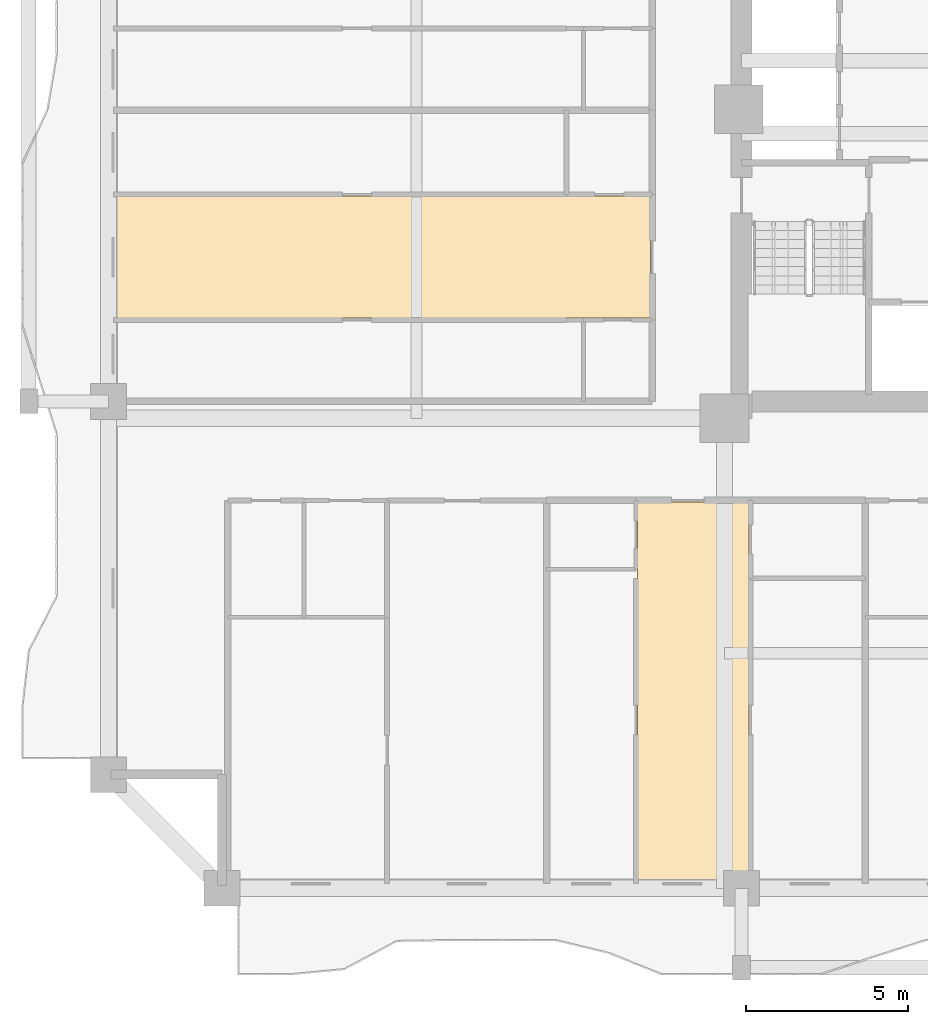
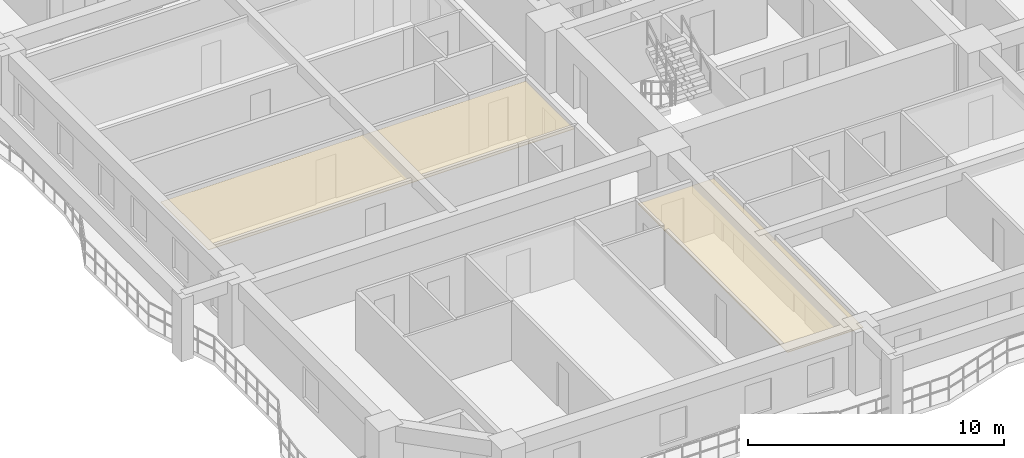
# One storey, part 11 of 15: 2 coverings.
"""IFC4 building model written with IfcOpenShell, lengths in metres."""

import ifcopenshell
import ifcopenshell.guid

model = None  # the IFC model being written
_history = None  # IfcOwnerHistory: only IFC2X3 demands one
_inside = {}  # id of a spatial element -> (the spatial element, [elements in it])
_under = {}  # id of a project, library or spatial element -> (it, [spatial elements below it])
_declared = {}  # id of a project -> (the project, [libraries it declares])
_typed = {}  # id of a type object -> (the type object, [elements of that type])
_made_of = {}  # id of a material, layer set ... -> (it, [elements and type objects made of it])


def new_model(schema):
    """Start an empty IFC model of exactly this schema.

    Asked for "IFC4X3", IfcOpenShell would pick the latest addendum, in which some entities
    have other attributes; the version numbers below select the first issue.
    IFC2X3 requires an IfcOwnerHistory on every rooted entity: one is made here for all.
    """
    global model, _history
    if schema == "IFC4X3":
        model = ifcopenshell.file(schema_version=(4, 3, 0, 0))
    else:
        model = ifcopenshell.file(schema=schema)
    _inside.clear()
    _under.clear()
    _declared.clear()
    _typed.clear()
    _made_of.clear()
    _history = None
    if model.schema == "IFC2X3":
        org = make("IfcOrganization", Name="unknown")
        user = make(
            "IfcPersonAndOrganization",
            ThePerson=make("IfcPerson", FamilyName="unknown"),
            TheOrganization=org,
        )
        app = make(
            "IfcApplication",
            ApplicationDeveloper=org,
            Version="unknown",
            ApplicationFullName="unknown",
            ApplicationIdentifier="unknown",
        )
        _history = make(
            "IfcOwnerHistory",
            OwningUser=user,
            OwningApplication=app,
            ChangeAction="ADDED",
            CreationDate=0,
        )
    return model


def make(cls, **values):
    """One entity of the class cls with the attributes given. An attribute that is None is left unset."""
    return model.create_entity(
        cls, **{name: value for name, value in values.items() if value is not None}
    )


def rooted(cls, **values):
    """An entity with a GlobalId (a new one), such as an element, a storey or a relation."""
    return make(cls, GlobalId=ifcopenshell.guid.new(), OwnerHistory=_history, **values)


def si_unit(unit_type, name, prefix=None):
    """IfcSIUnit, for example si_unit("LENGTHUNIT", "METRE", prefix="MILLI")."""
    return make("IfcSIUnit", UnitType=unit_type, Prefix=prefix, Name=name)


def assignment(units):
    """IfcUnitAssignment: the units of a project."""
    return None if units is None else make("IfcUnitAssignment", Units=units)


def point(xyz):
    """IfcCartesianPoint."""
    return None if xyz is None else make("IfcCartesianPoint", Coordinates=xyz)


def direction(xyz):
    """IfcDirection."""
    return None if xyz is None else make("IfcDirection", DirectionRatios=xyz)


def frame(location, z_axis=None, x_axis=None):
    """IfcAxis2Placement3D, a coordinate frame: its origin and axes. An axis left out is left unset."""
    return make(
        "IfcAxis2Placement3D",
        Location=point(location),
        Axis=direction(z_axis),
        RefDirection=direction(x_axis),
    )


def origin():
    """The frame at (0, 0, 0) with its axes left unset."""
    return frame((0.0, 0.0, 0.0))


def place(relative_to, where):
    """IfcLocalPlacement: puts the frame where relative to a parent placement (None: the world)."""
    return make(
        "IfcLocalPlacement", PlacementRelTo=relative_to, RelativePlacement=where
    )


def context(
    kind, dimensions, precision=None, world=None, true_north=None, identifier=None
):
    """IfcGeometricRepresentationContext, for example the 3D "Model" context."""
    return make(
        "IfcGeometricRepresentationContext",
        ContextIdentifier=identifier,
        ContextType=kind,
        CoordinateSpaceDimension=dimensions,
        Precision=precision,
        WorldCoordinateSystem=world,
        TrueNorth=true_north,
    )


def subcontext(parent, identifier, kind, view, scale=None):
    """IfcGeometricRepresentationSubContext, for example "Body" below "Model"."""
    return make(
        "IfcGeometricRepresentationSubContext",
        ContextIdentifier=identifier,
        ContextType=kind,
        ParentContext=parent,
        TargetScale=scale,
        TargetView=view,
    )


def project(units=None, contexts=None):
    """IfcProject with its units and contexts."""
    return rooted(
        "IfcProject",
        Name="project",
        RepresentationContexts=contexts,
        UnitsInContext=assignment(units),
    )


def spatial(cls, under=None, at=None, **own):
    """A site, building, storey or space (cls), placed at a placement, below another one or the project."""
    s = rooted(cls, ObjectPlacement=at, **own)
    if under is not None:
        _under.setdefault(under.id(), (under, []))[1].append(s)
    return s


def polyline(points):
    """IfcPolyline through the points."""
    return make("IfcPolyline", Points=[point(p) for p in points])


def outline(outer, holes=None, kind="AREA"):
    """IfcArbitraryClosedProfileDef: a profile drawn as a closed curve; with holes, ...WithVoids."""
    if holes is None:
        return make("IfcArbitraryClosedProfileDef", ProfileType=kind, OuterCurve=outer)
    return make(
        "IfcArbitraryProfileDefWithVoids",
        ProfileType=kind,
        OuterCurve=outer,
        InnerCurves=holes,
    )


def extrude(swept, where, along, depth):
    """IfcExtrudedAreaSolid: the profile swept, set in the frame where, extruded along a direction by depth."""
    return make(
        "IfcExtrudedAreaSolid",
        SweptArea=swept,
        Position=where,
        ExtrudedDirection=direction(along),
        Depth=depth,
    )


def shape(context_of_items, identifier, shape_type, items):
    """IfcShapeRepresentation: the items that make up one representation, for example the "Body"."""
    return make(
        "IfcShapeRepresentation",
        ContextOfItems=context_of_items,
        RepresentationIdentifier=identifier,
        RepresentationType=shape_type,
        Items=items,
    )


def material(Name=None, Category=None):
    """IfcMaterial."""
    return make("IfcMaterial", Name=Name, Category=Category)


def layer(
    of_material, thickness, ventilated=None, Name=None, Category=None, Priority=None
):
    """IfcMaterialLayer: one layer of a wall or slab, of a material (None: an air gap)."""
    return make(
        "IfcMaterialLayer",
        Material=of_material,
        LayerThickness=thickness,
        IsVentilated=ventilated,
        Name=Name,
        Category=Category,
        Priority=Priority,
    )


def layer_set(layers, Name=None):
    """IfcMaterialLayerSet."""
    return make("IfcMaterialLayerSet", MaterialLayers=layers, LayerSetName=Name)


def made_of(thing, what):
    """Note that an element or type object is made of a material, layer set ...; save() writes the relation."""
    if what is not None:
        _made_of.setdefault(what.id(), (what, []))[1].append(thing)
    return thing


def type_object(cls, material=None, **own):
    """A type object (cls), such as IfcWallType, which elements share."""
    return made_of(rooted(cls, **own), material)


def element(
    cls,
    number,
    at=None,
    inside=None,
    cuts=None,
    type_object=None,
    material=None,
    context=None,
    identifier="Body",
    shape_type=None,
    held_by="IfcProductDefinitionShape",
    body=None,
    shapes=None,
    **own,
):
    """One element of the class cls, such as IfcWall. Its Tag is "e" and its number.

    at: its placement. inside: the storey or other place that contains it. cuts: it is an
    opening in that element (IfcRelVoidsElement). A single representation is given by context,
    identifier, shape_type and body (its items); several are given by shapes. held_by: the class
    of the entity that holds the representations. save() writes the other relations.
    """
    e = rooted(cls, Tag="e%d" % number, ObjectPlacement=at, **own)
    if body is not None:
        shapes = [shape(context, identifier, shape_type, body)]
    if shapes is not None:
        e.Representation = make(held_by, Representations=shapes)
    if inside is not None:
        _inside.setdefault(inside.id(), (inside, []))[1].append(e)
    if cuts is not None:
        rooted(
            "IfcRelVoidsElement", RelatingBuildingElement=cuts, RelatedOpeningElement=e
        )
    if type_object is not None:
        _typed.setdefault(type_object.id(), (type_object, []))[1].append(e)
    return made_of(e, material)


def aggregate(whole, parts):
    """IfcRelAggregates: a whole, such as a stair, and the parts it consists of."""
    return rooted("IfcRelAggregates", RelatingObject=whole, RelatedObjects=parts)


def save(model, path):
    """Write the relations noted so far, then the file.

    IfcRelAggregates (storeys below a building ...), IfcRelContainedInSpatialStructure (elements
    in a storey), IfcRelDefinesByType, IfcRelAssociatesMaterial and IfcRelDeclares: one each for
    every whole, place, type object, material and project.
    """
    for whole, parts in _under.values():
        aggregate(whole, parts)
    for where, things in _inside.values():
        rooted(
            "IfcRelContainedInSpatialStructure",
            RelatedElements=things,
            RelatingStructure=where,
        )
    for kind, things in _typed.values():
        rooted("IfcRelDefinesByType", RelatedObjects=things, RelatingType=kind)
    for what, things in _made_of.values():
        rooted("IfcRelAssociatesMaterial", RelatedObjects=things, RelatingMaterial=what)
    for by, libraries in _declared.values():
        rooted("IfcRelDeclares", RelatingContext=by, RelatedDefinitions=libraries)
    model.write(path)


model = new_model("IFC4")

# Units and contexts
model_context = context("Model", 3, precision=1e-05, world=origin(), true_north=direction((0.0, 1.0)))
body_context = subcontext(model_context, "Body", "Model", "MODEL_VIEW")
ifc_project = project(units=[si_unit("LENGTHUNIT", "METRE"), si_unit("AREAUNIT", "SQUARE_METRE"), si_unit("VOLUMEUNIT", "CUBIC_METRE"), si_unit("PLANEANGLEUNIT", "RADIAN"), si_unit("MASSUNIT", "GRAM", prefix="KILO")], contexts=[model_context])

# Site, building, storey
site_placement = place(None, origin())
site = spatial("IfcSite", under=ifc_project, at=site_placement, CompositionType="ELEMENT")
building_placement = place(site_placement, origin())
building = spatial("IfcBuilding", under=site, at=building_placement, Name="Saelheon Loggia Tower", CompositionType="ELEMENT")
storey_placement = place(building_placement, frame((0.0, 0.0, 46.39990234375)))
storey = spatial("IfcBuildingStorey", under=building, at=storey_placement, Name="L14", CompositionType="ELEMENT", Elevation=46.39990234375)

# Coverings
ifc_material = material(Name="Mineral-Fibre Acoustic Ceiling Board", Category="gypsum")
ifc_layer = layer(ifc_material, 0.02490234375)
ifc_layer_set = layer_set([ifc_layer], Name="Mineral-Fibre Acoustic Ceiling Board")
covering_type = type_object("IfcCoveringType", Name="Cov_Ceiling_Acoustic", PredefinedType="CEILING", material=ifc_layer_set)
covering_1_placement = place(storey_placement, frame((0.0, 0.0, 2.53515625)))
element("IfcCovering", 1, at=covering_1_placement, inside=storey, type_object=covering_type, Name="L14 Acoustic Suspended Ceiling", PredefinedType="CEILING", context=body_context, shape_type="SweptSolid", body=[
    extrude(outline(polyline([(28.300537109375, 3.199951171875), (31.72998046875, 3.199951171875), (31.72998046875, 14.89990234375), (28.300537109375, 14.89990234375), (28.300537109375, 3.199951171875)])), origin(), (0.0, 0.0, 1.0), 0.02490234375),
])
covering_2_placement = place(storey_placement, frame((0.0, 0.0, 2.53515625)))
element("IfcCovering", 2, at=covering_2_placement, inside=storey, type_object=covering_type, Name="L14 Acoustic Suspended Ceiling", PredefinedType="CEILING", context=body_context, shape_type="SweptSolid", body=[
    extrude(outline(polyline([(12.199951171875, 20.56298828125), (28.699951171875, 20.56298828125), (28.699951171875, 24.324951171875), (12.199951171875, 24.324951171875), (12.199951171875, 20.56298828125)])), origin(), (0.0, 0.0, 1.0), 0.02490234375),
])

save(model, "model.ifc")
